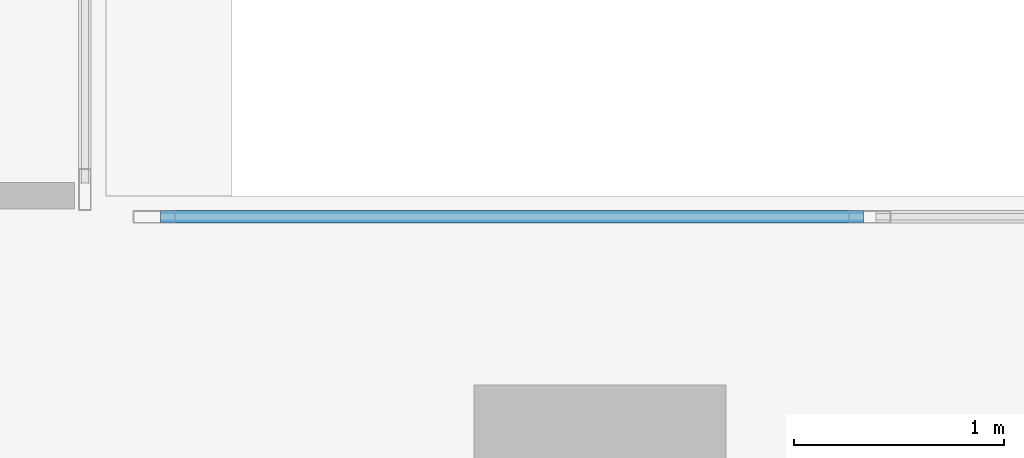
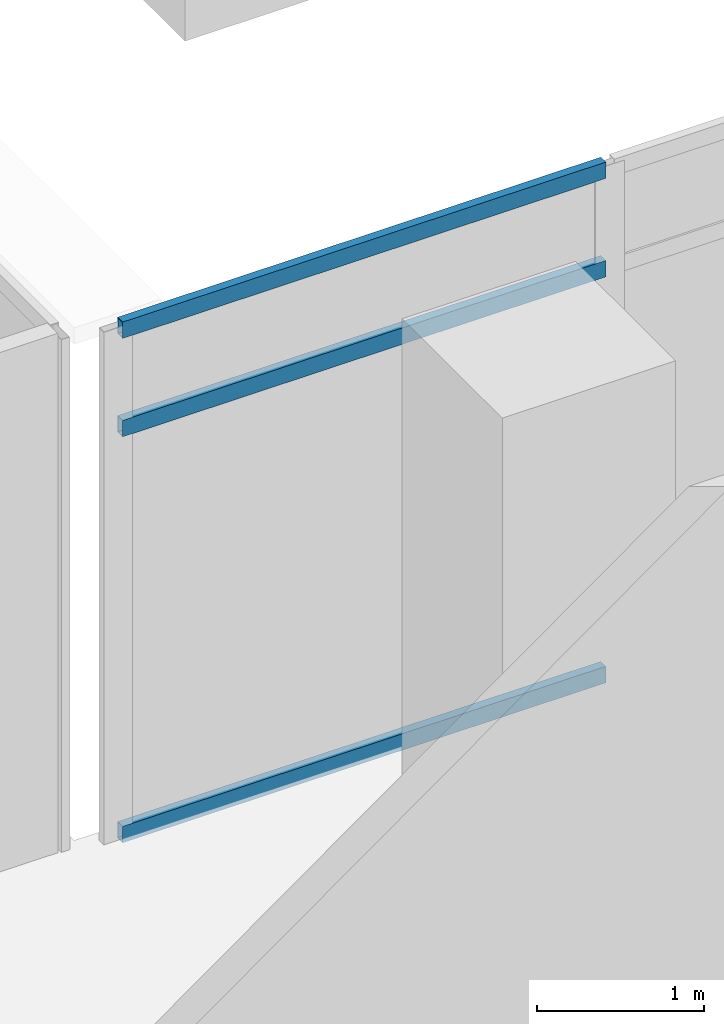
# One storey, part 9 of 38: 3 members, 1 element without a shape of its own.
"""IFC4 building model written with IfcOpenShell, lengths in metres."""

from ifc_helpers import new_model, si_unit, direction, frame, origin, origin_2d, place, context, subcontext, project, spatial, hollow_rectangle, extrude, source, transform, mapped, material, material_profile, profile_set, type_object, element, aggregate, save


model = new_model("IFC4")

# Units and contexts
model_context = context("Model", 3, precision=1e-05, world=origin(), true_north=direction((0.0, 1.0)))
body_context = subcontext(model_context, "Body", "Model", "MODEL_VIEW")
ifc_project = project(units=[si_unit("LENGTHUNIT", "METRE"), si_unit("AREAUNIT", "SQUARE_METRE"), si_unit("VOLUMEUNIT", "CUBIC_METRE"), si_unit("PLANEANGLEUNIT", "RADIAN"), si_unit("MASSUNIT", "GRAM", prefix="KILO")], contexts=[model_context])

# Site, building, storey
site_placement = place(None, origin())
site = spatial("IfcSite", under=ifc_project, at=site_placement, CompositionType="ELEMENT")
building_placement = place(site_placement, origin())
building = spatial("IfcBuilding", under=site, at=building_placement, Name="Khomas Fold Tower", CompositionType="ELEMENT")
storey_placement = place(building_placement, frame((0.0, 0.0, 172.699951171875)))
storey = spatial("IfcBuildingStorey", under=building, at=storey_placement, Name="L37", CompositionType="ELEMENT", Elevation=172.699951171875)

# Curtain wall, members
ifc_material_1 = material(Name="Aluminium framed double glazing", Category="aluminium")
curtain_wall_type = type_object("IfcCurtainWallType", Name="Notch glazing GN-CW", PredefinedType="NOTDEFINED", material=ifc_material_1)
curtain_wall_placement = place(storey_placement, origin())
curtain_wall = element("IfcCurtainWall", 1, at=curtain_wall_placement, inside=storey, type_object=curtain_wall_type, Name="Notch glazing run", PredefinedType="NOTDEFINED")
ifc_material_2 = material(Name="Aluminium", Category="aluminium")
ifc_material_profile = material_profile(ifc_material_2, hollow_rectangle(XDim=0.06005859375, YDim=0.1201171875, WallThickness=0.00390625, at=origin_2d()), Name="Notch glazing transom GN-CW-T")
ifc_profile_set = profile_set([ifc_material_profile], Name="Aluminium")
member_type = type_object("IfcMemberType", Name="Notch glazing transom GN-CW-T", PredefinedType="USERDEFINED", material=ifc_profile_set)
shared_shape = source(origin(), body_context, "Body", "SweptSolid", [
    extrude(hollow_rectangle(XDim=0.06005859375, YDim=0.1201171875, WallThickness=0.00390625, at=origin_2d()), origin(), (0.0, 0.0, 1.0), 3.343505859375),
])
member_1_placement = place(storey_placement, frame((35.75341796875, 32.89990234375, 0.030029296875), z_axis=(-1.0, 0.0, 0.0), x_axis=(0.0, -1.0, 0.0)))
member_1 = element("IfcMember", 2, at=member_1_placement, type_object=member_type, Name="GN-CW transom 3.1", ObjectType="TRANSOM", PredefinedType="USERDEFINED", context=body_context, shape_type="MappedRepresentation", body=[
    mapped(shared_shape, transform((0.0, 0.0, 0.0))),
])
member_2_placement = place(storey_placement, frame((35.75341796875, 32.89990234375, 3.0), z_axis=(-1.0, 0.0, 0.0), x_axis=(0.0, -1.0, 0.0)))
member_2 = element("IfcMember", 3, at=member_2_placement, type_object=member_type, Name="GN-CW transom 3.2", ObjectType="TRANSOM", PredefinedType="USERDEFINED", context=body_context, shape_type="MappedRepresentation", body=[
    mapped(shared_shape, transform((0.0, 0.0, 0.0))),
])
member_3_placement = place(storey_placement, frame((35.75341796875, 32.89990234375, 3.719970703125), z_axis=(-1.0, 0.0, 0.0), x_axis=(0.0, -1.0, 0.0)))
member_3 = element("IfcMember", 4, at=member_3_placement, type_object=member_type, Name="GN-CW transom 3.3", ObjectType="TRANSOM", PredefinedType="USERDEFINED", context=body_context, shape_type="MappedRepresentation", body=[
    mapped(shared_shape, transform((0.0, 0.0, 0.0))),
])
aggregate(curtain_wall, [member_1, member_2, member_3])

save(model, "model.ifc")
